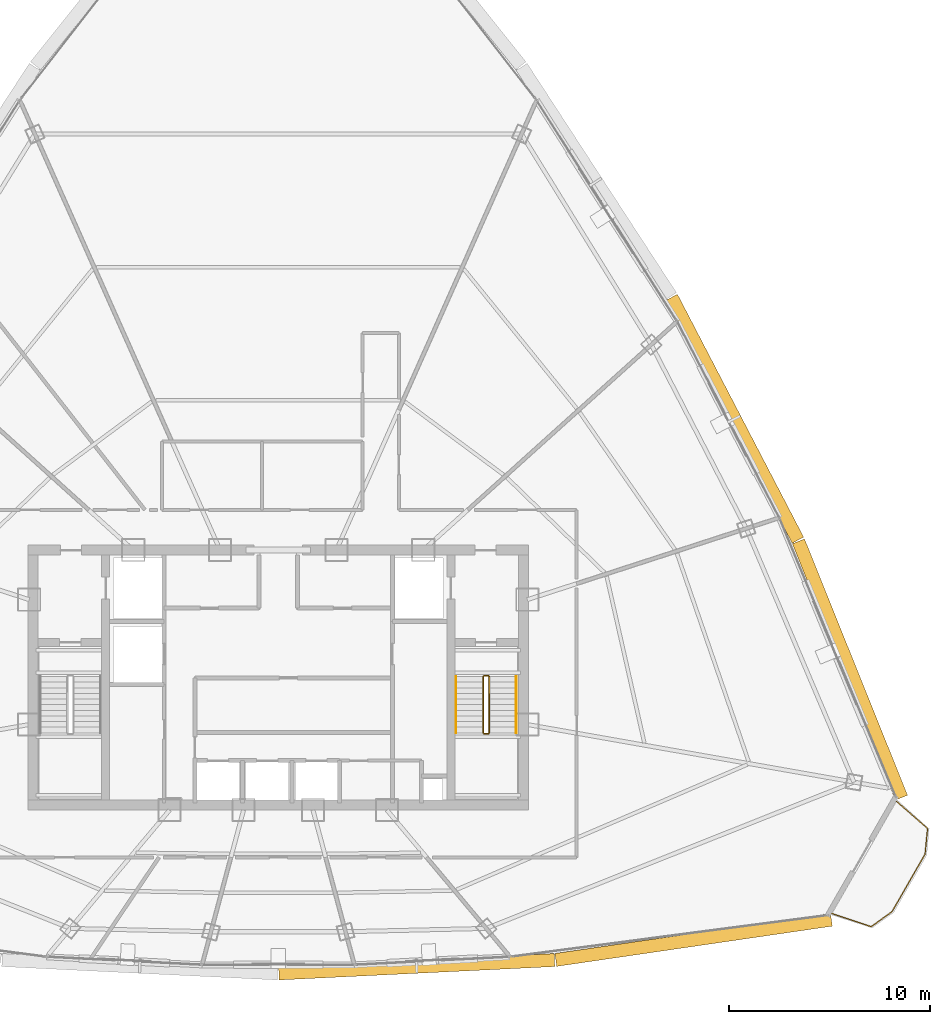
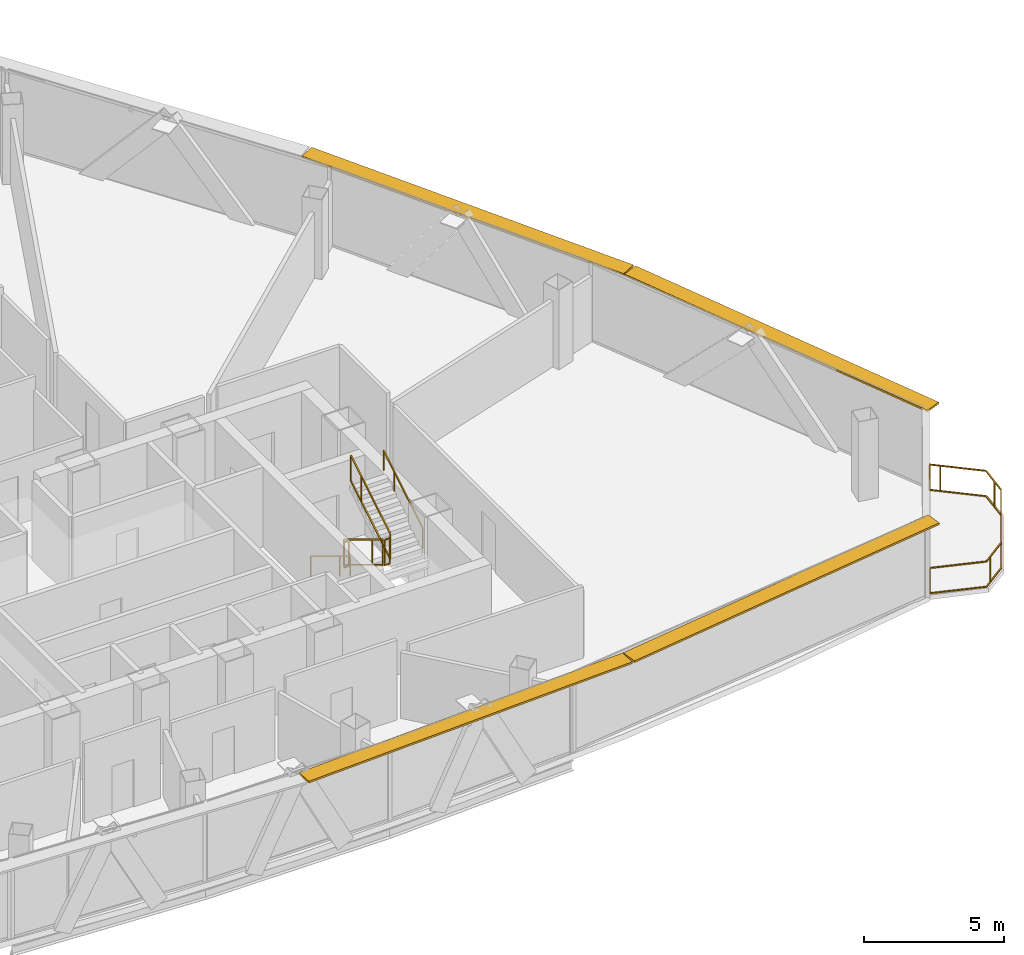
# One storey, part 32 of 33: 7 railings, 4 shading devices.
"""IFC4 building model written with IfcOpenShell, lengths in metres."""

from ifc_helpers import new_model, si_unit, direction, frame, origin, origin_2d, place, context, subcontext, project, spatial, rectangle, extrude, source, transform, mapped, material, layer, layer_set, type_object, element, save


model = new_model("IFC4")

# Units and contexts
model_context = context("Model", 3, precision=1e-05, world=origin(), true_north=direction((0.0, 1.0)))
body_context = subcontext(model_context, "Body", "Model", "MODEL_VIEW")
ifc_project = project(units=[si_unit("LENGTHUNIT", "METRE"), si_unit("AREAUNIT", "SQUARE_METRE"), si_unit("VOLUMEUNIT", "CUBIC_METRE"), si_unit("PLANEANGLEUNIT", "RADIAN"), si_unit("MASSUNIT", "GRAM", prefix="KILO"), si_unit("THERMODYNAMICTEMPERATUREUNIT", "KELVIN"), si_unit("POWERUNIT", "WATT")], contexts=[model_context])

# Site, building, storey
site_placement = place(None, origin())
site = spatial("IfcSite", under=ifc_project, at=site_placement, CompositionType="ELEMENT")
building_placement = place(site_placement, origin())
building = spatial("IfcBuilding", under=site, at=building_placement, Name="Yunzhuo Pagoda Commons", CompositionType="ELEMENT")
storey_placement = place(building_placement, frame((0.0, 0.0, 307.39990234375)))
storey = spatial("IfcBuildingStorey", under=building, at=storey_placement, Name="L77", CompositionType="ELEMENT", Elevation=307.39990234375)

# Railings
ifc_material = material(Name="Anodized aluminium 6063-T6", Category="aluminium")
railing_type_1 = type_object("IfcRailingType", Name="GR-ST2 Stair Well Guardrail 1160", PredefinedType="GUARDRAIL", material=ifc_material)
railing_1_placement = place(storey_placement, frame((58.199951171875, 33.89990234375, 0.169677734375)))
element("IfcRailing", 1, at=railing_1_placement, inside=storey, type_object=railing_type_1, Name="L77 ST2 stair guard 1", PredefinedType="GUARDRAIL", context=body_context, shape_type="SweptSolid", body=[
    extrude(rectangle(XDim=0.048095703125, YDim=0.048095703125, at=origin_2d()), frame((0.0, 0.0, 1.1259765625), z_axis=(0.0, -0.855406155521, 0.517957825596), x_axis=(1.0, 0.0, 0.0)), (0.0, 0.0, 1.0), 3.27294921875),
    extrude(rectangle(XDim=0.048095703125, YDim=0.048095703125, at=origin_2d()), frame((0.0, 0.0, 0.02392578125), z_axis=(0.0, -0.855406155521, 0.517957825596), x_axis=(1.0, 0.0, 0.0)), (0.0, 0.0, 1.0), 3.27294921875),
    extrude(rectangle(XDim=0.0419921875, YDim=0.0419921875, at=origin_2d()), origin(), (0.0, 0.0, 1.0), 1.101806640625),
    extrude(rectangle(XDim=0.0419921875, YDim=0.0419921875, at=origin_2d()), frame((0.0, -2.052978515625, 1.2431640625)), (0.0, 0.0, 1.0), 1.101806640625),
    extrude(rectangle(XDim=0.0419921875, YDim=0.0419921875, at=origin_2d()), frame((0.0, -2.7998046875, 1.6953125)), (0.0, 0.0, 1.0), 1.101806640625),
])
railing_2_placement = place(storey_placement, frame((58.25, 31.050048828125, 1.864990234375)))
element("IfcRailing", 2, at=railing_2_placement, inside=storey, type_object=railing_type_1, Name="L77 ST2 stair guard 2", PredefinedType="GUARDRAIL", context=body_context, shape_type="SweptSolid", body=[
    extrude(rectangle(XDim=0.048095703125, YDim=0.048095703125, at=origin_2d()), frame((0.0, 0.0, 1.1259765625), z_axis=(1.0, 0.0, 0.0), x_axis=(0.0, 1.0, 0.0)), (0.0, 0.0, 1.0), 0.199951171875),
    extrude(rectangle(XDim=0.048095703125, YDim=0.048095703125, at=origin_2d()), frame((0.0, 0.0, 0.02392578125), z_axis=(1.0, 0.0, 0.0), x_axis=(0.0, 1.0, 0.0)), (0.0, 0.0, 1.0), 0.199951171875),
    extrude(rectangle(XDim=0.0419921875, YDim=0.0419921875, at=origin_2d()), origin(), (0.0, 0.0, 1.0), 1.101806640625),
    extrude(rectangle(XDim=0.0419921875, YDim=0.0419921875, at=origin_2d()), frame((0.199951171875, 0.0, 0.0)), (0.0, 0.0, 1.0), 1.101806640625),
])
railing_3_placement = place(storey_placement, frame((58.5, 31.10009765625, 2.03466796875)))
element("IfcRailing", 3, at=railing_3_placement, inside=storey, type_object=railing_type_1, Name="L77 ST2 stair guard 3", PredefinedType="GUARDRAIL", context=body_context, shape_type="SweptSolid", body=[
    extrude(rectangle(XDim=0.048095703125, YDim=0.048095703125, at=origin_2d()), frame((0.0, 0.0, 1.1259765625), z_axis=(0.0, 0.855406155521, 0.517957825596), x_axis=(-1.0, 0.0, 0.0)), (0.0, 0.0, 1.0), 3.27294921875),
    extrude(rectangle(XDim=0.048095703125, YDim=0.048095703125, at=origin_2d()), frame((0.0, 0.0, 0.02392578125), z_axis=(0.0, 0.855406155521, 0.517957825596), x_axis=(-1.0, 0.0, 0.0)), (0.0, 0.0, 1.0), 3.27294921875),
    extrude(rectangle(XDim=0.0419921875, YDim=0.0419921875, at=origin_2d()), origin(), (0.0, 0.0, 1.0), 1.101806640625),
    extrude(rectangle(XDim=0.0419921875, YDim=0.0419921875, at=origin_2d()), frame((0.0, 2.052978515625, 1.2431640625)), (0.0, 0.0, 1.0), 1.101806640625),
    extrude(rectangle(XDim=0.0419921875, YDim=0.0419921875, at=origin_2d()), frame((0.0, 2.7998046875, 1.6953125)), (0.0, 0.0, 1.0), 1.101806640625),
])
railing_4_placement = place(storey_placement, frame((58.25, 33.949951171875, 0.0)))
element("IfcRailing", 4, at=railing_4_placement, inside=storey, type_object=railing_type_1, Name="L77 ST2 stair guard 4", PredefinedType="GUARDRAIL", context=body_context, shape_type="SweptSolid", body=[
    extrude(rectangle(XDim=0.048095703125, YDim=0.048095703125, at=origin_2d()), frame((0.0, 0.0, 1.1259765625), z_axis=(1.0, 0.0, 0.0), x_axis=(0.0, 1.0, 0.0)), (0.0, 0.0, 1.0), 0.199951171875),
    extrude(rectangle(XDim=0.048095703125, YDim=0.048095703125, at=origin_2d()), frame((0.0, 0.0, 0.02392578125), z_axis=(1.0, 0.0, 0.0), x_axis=(0.0, 1.0, 0.0)), (0.0, 0.0, 1.0), 0.199951171875),
    extrude(rectangle(XDim=0.0419921875, YDim=0.0419921875, at=origin_2d()), origin(), (0.0, 0.0, 1.0), 1.101806640625),
    extrude(rectangle(XDim=0.0419921875, YDim=0.0419921875, at=origin_2d()), frame((0.199951171875, 0.0, 0.0)), (0.0, 0.0, 1.0), 1.101806640625),
])
railing_type_2 = type_object("IfcRailingType", Name="HR-ST2 Stair Handrail 900", PredefinedType="HANDRAIL", material=ifc_material)
railing_5_placement = place(storey_placement, frame((56.85009765625, 33.89990234375, 0.169677734375)))
element("IfcRailing", 5, at=railing_5_placement, inside=storey, type_object=railing_type_2, Name="L77 ST2 stair handrail 1", PredefinedType="HANDRAIL", context=body_context, shape_type="SweptSolid", body=[
    extrude(rectangle(XDim=0.048095703125, YDim=0.048095703125, at=origin_2d()), frame((0.0, 0.0, 0.8759765625), z_axis=(0.0, -0.855406155521, 0.517957825596), x_axis=(1.0, 0.0, 0.0)), (0.0, 0.0, 1.0), 3.27294921875),
    extrude(rectangle(XDim=0.0419921875, YDim=0.0419921875, at=origin_2d()), origin(), (0.0, 0.0, 1.0), 0.851806640625),
    extrude(rectangle(XDim=0.0419921875, YDim=0.0419921875, at=origin_2d()), frame((0.0, -2.052978515625, 1.2431640625)), (0.0, 0.0, 1.0), 0.851806640625),
    extrude(rectangle(XDim=0.0419921875, YDim=0.0419921875, at=origin_2d()), frame((0.0, -2.7998046875, 1.6953125)), (0.0, 0.0, 1.0), 0.851806640625),
])
railing_6_placement = place(storey_placement, frame((59.85009765625, 31.10009765625, 2.03466796875)))
element("IfcRailing", 6, at=railing_6_placement, inside=storey, type_object=railing_type_2, Name="L77 ST2 stair handrail 2", PredefinedType="HANDRAIL", context=body_context, shape_type="SweptSolid", body=[
    extrude(rectangle(XDim=0.048095703125, YDim=0.048095703125, at=origin_2d()), frame((0.0, 0.0, 0.8759765625), z_axis=(0.0, 0.855406155521, 0.517957825596), x_axis=(-1.0, 0.0, 0.0)), (0.0, 0.0, 1.0), 3.27294921875),
    extrude(rectangle(XDim=0.0419921875, YDim=0.0419921875, at=origin_2d()), origin(), (0.0, 0.0, 1.0), 0.851806640625),
    extrude(rectangle(XDim=0.0419921875, YDim=0.0419921875, at=origin_2d()), frame((0.0, 2.052978515625, 1.2431640625)), (0.0, 0.0, 1.0), 0.851806640625),
    extrude(rectangle(XDim=0.0419921875, YDim=0.0419921875, at=origin_2d()), frame((0.0, 2.7998046875, 1.6953125)), (0.0, 0.0, 1.0), 0.851806640625),
])
railing_type_3 = type_object("IfcRailingType", Name="RL-BAL1 Exterior Terrace & Balcony Balustrade 1150", PredefinedType="BALUSTRADE", material=ifc_material)
railing_7_placement = place(storey_placement, frame((75.566650390625, 22.10498046875, 0.0)))
element("IfcRailing", 7, at=railing_7_placement, inside=storey, type_object=railing_type_3, Name="L77 corner balcony balustrade V2", PredefinedType="BALUSTRADE", context=body_context, shape_type="SweptSolid", body=[
    extrude(rectangle(XDim=0.048095703125, YDim=0.048095703125, at=origin_2d()), frame((0.0, 0.0, 1.1259765625), z_axis=(0.947383113487, -0.320101915457, 0.0), x_axis=(0.320101915457, 0.947383113487, 0.0)), (0.0, 0.0, 1.0), 2.059326171875),
    extrude(rectangle(XDim=0.048095703125, YDim=0.048095703125, at=origin_2d()), frame((0.0, 0.0, 0.02392578125), z_axis=(0.947383113487, -0.320101915457, 0.0), x_axis=(0.320101915457, 0.947383113487, 0.0)), (0.0, 0.0, 1.0), 2.059326171875),
    extrude(rectangle(XDim=0.048095703125, YDim=0.048095703125, at=origin_2d()), frame((1.950927734375, -0.6591796875, 1.1259765625), z_axis=(0.811274857139, 0.584664952066, 0.0), x_axis=(-0.584664952066, 0.811274857139, 0.0)), (0.0, 0.0, 1.0), 1.285400390625),
    extrude(rectangle(XDim=0.048095703125, YDim=0.048095703125, at=origin_2d()), frame((1.950927734375, -0.6591796875, 0.02392578125), z_axis=(0.811274857139, 0.584664952066, 0.0), x_axis=(-0.584664952066, 0.811274857139, 0.0)), (0.0, 0.0, 1.0), 1.285400390625),
    extrude(rectangle(XDim=0.048095703125, YDim=0.048095703125, at=origin_2d()), frame((2.99365234375, 0.09228515625, 1.1259765625), z_axis=(0.497913868519, 0.867226486874, 0.0), x_axis=(-0.867226486874, 0.497913868519, 0.0)), (0.0, 0.0, 1.0), 3.30126953125),
    extrude(rectangle(XDim=0.048095703125, YDim=0.048095703125, at=origin_2d()), frame((2.99365234375, 0.09228515625, 0.02392578125), z_axis=(0.497913868519, 0.867226486874, 0.0), x_axis=(-0.867226486874, 0.497913868519, 0.0)), (0.0, 0.0, 1.0), 3.30126953125),
    extrude(rectangle(XDim=0.048095703125, YDim=0.048095703125, at=origin_2d()), frame((4.637451171875, 2.955322265625, 1.1259765625), z_axis=(0.095929580564, 0.995388123082, 0.0), x_axis=(-0.995388123082, 0.095929580564, 0.0)), (0.0, 0.0, 1.0), 1.28515625),
    extrude(rectangle(XDim=0.048095703125, YDim=0.048095703125, at=origin_2d()), frame((4.637451171875, 2.955322265625, 0.02392578125), z_axis=(0.095929580564, 0.995388123082, 0.0), x_axis=(-0.995388123082, 0.095929580564, 0.0)), (0.0, 0.0, 1.0), 1.28515625),
    extrude(rectangle(XDim=0.048095703125, YDim=0.048095703125, at=origin_2d()), frame((4.7607421875, 4.234619140625, 1.1259765625), z_axis=(-0.753933830692, 0.656950362614, 0.0), x_axis=(-0.656950362614, -0.753933830692, 0.0)), (0.0, 0.0, 1.0), 2.05908203125),
    extrude(rectangle(XDim=0.048095703125, YDim=0.048095703125, at=origin_2d()), frame((4.7607421875, 4.234619140625, 0.02392578125), z_axis=(-0.753933830692, 0.656950362614, 0.0), x_axis=(-0.656950362614, -0.753933830692, 0.0)), (0.0, 0.0, 1.0), 2.05908203125),
    extrude(rectangle(XDim=0.0419921875, YDim=0.0419921875, at=origin_2d()), origin(), (0.0, 0.0, 1.0), 1.101806640625),
    extrude(rectangle(XDim=0.0419921875, YDim=0.0419921875, at=origin_2d()), frame((2.227294921875, -0.4599609375, 0.0)), (0.0, 0.0, 1.0), 1.101806640625),
    extrude(rectangle(XDim=0.0419921875, YDim=0.0419921875, at=origin_2d()), frame((3.71826171875, 1.3544921875, 0.0)), (0.0, 0.0, 1.0), 1.101806640625),
    extrude(rectangle(XDim=0.0419921875, YDim=0.0419921875, at=origin_2d()), frame((4.690673828125, 3.5068359375, 0.0)), (0.0, 0.0, 1.0), 1.101806640625),
    extrude(rectangle(XDim=0.0419921875, YDim=0.0419921875, at=origin_2d()), frame((3.50244140625, 5.3310546875, 0.0)), (0.0, 0.0, 1.0), 1.101806640625),
    extrude(rectangle(XDim=0.0419921875, YDim=0.0419921875, at=origin_2d()), frame((3.208251953125, 5.58740234375, 0.0)), (0.0, 0.0, 1.0), 1.101806640625),
])

# Shading devices
ifc_layer = layer(ifc_material, 0.080078125)
ifc_layer_set = layer_set([ifc_layer], Name="Anodized aluminium 6063-T6")
shading_device_type = type_object("IfcShadingDeviceType", Name="SH-SUN1 Pagoda Horizontal Sunshade Eave 650", PredefinedType="USERDEFINED", material=ifc_layer_set)
shared_shape_1 = source(origin(), body_context, "Body", "SweptSolid", [
    extrude(rectangle(XDim=13.869384765625, YDim=0.64990234375, at=origin_2d()), origin(), (0.0, 0.0, 1.0), 0.080078125),
])
shading_device_1_placement = place(storey_placement, frame((68.6796875, 20.79345703125, 3.39013671875), z_axis=(0.0, 0.0, 1.0), x_axis=(0.989510666697, 0.144459823108, 0.0)))
element("IfcShadingDevice", 8, at=shading_device_1_placement, inside=storey, type_object=shading_device_type, Name="L77 horizontal pagoda sunshade eave F1.4", ObjectType="SUNSHADE", PredefinedType="USERDEFINED", context=body_context, shape_type="MappedRepresentation", body=[
    mapped(shared_shape_1, transform((0.0, 0.0, 0.0), scale=1.0)),
])
shared_shape_2 = source(origin(), body_context, "Body", "SweptSolid", [
    extrude(rectangle(XDim=13.73974609375, YDim=0.64990234375, at=origin_2d()), origin(), (0.0, 0.0, 1.0), 0.080078125),
])
shading_device_2_placement = place(storey_placement, frame((54.893310546875, 19.45166015625, 3.39013671875), z_axis=(0.0, 0.0, 1.0), x_axis=(0.998818043775, 0.04860571396, 0.0)))
element("IfcShadingDevice", 9, at=shading_device_2_placement, inside=storey, type_object=shading_device_type, Name="L77 horizontal pagoda sunshade eave F1.3", ObjectType="SUNSHADE", PredefinedType="USERDEFINED", context=body_context, shape_type="MappedRepresentation", body=[
    mapped(shared_shape_2, transform((0.0, 0.0, 0.0), scale=1.0)),
])
shared_shape_3 = source(origin(), body_context, "Body", "SweptSolid", [
    extrude(rectangle(XDim=13.7578125, YDim=0.64990234375, at=origin_2d()), origin(), (0.0, 0.0, 1.0), 0.080078125),
])
shading_device_3_placement = place(storey_placement, frame((76.464111328125, 34.252197265625, 3.39013671875), z_axis=(0.0, 0.0, 1.0), x_axis=(-0.372987782576, 0.927836253899, 0.0)))
element("IfcShadingDevice", 10, at=shading_device_3_placement, inside=storey, type_object=shading_device_type, Name="L77 horizontal pagoda sunshade eave F2.1", ObjectType="SUNSHADE", PredefinedType="USERDEFINED", context=body_context, shape_type="MappedRepresentation", body=[
    mapped(shared_shape_3, transform((0.0, 0.0, 0.0), scale=1.0)),
])
shared_shape_4 = source(origin(), body_context, "Body", "SweptSolid", [
    extrude(rectangle(XDim=13.627197265625, YDim=0.64990234375, at=origin_2d()), origin(), (0.0, 0.0, 1.0), 0.080078125),
])
shading_device_4_placement = place(storey_placement, frame((70.7294921875, 46.73779296875, 3.39013671875), z_axis=(0.0, 0.0, 1.0), x_axis=(-0.461206683033, 0.88729273384, 0.0)))
element("IfcShadingDevice", 11, at=shading_device_4_placement, inside=storey, type_object=shading_device_type, Name="L77 horizontal pagoda sunshade eave F2.2", ObjectType="SUNSHADE", PredefinedType="USERDEFINED", context=body_context, shape_type="MappedRepresentation", body=[
    mapped(shared_shape_4, transform((0.0, 0.0, 0.0), scale=1.0)),
])

save(model, "model.ifc")
